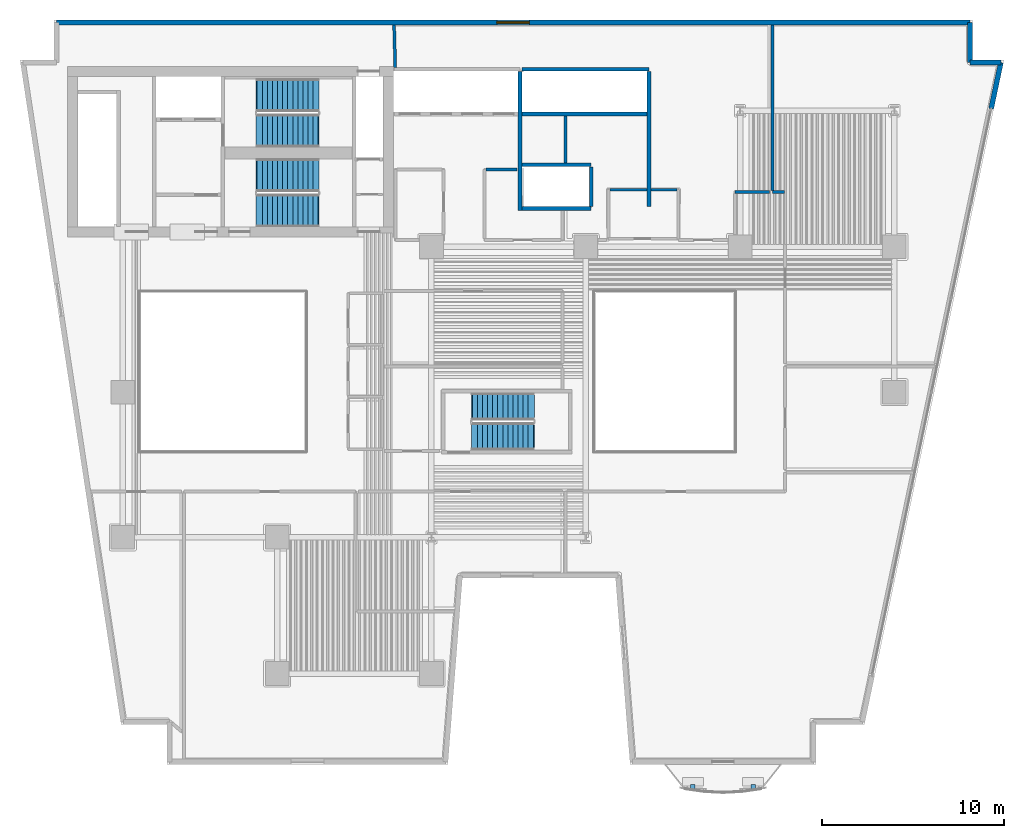
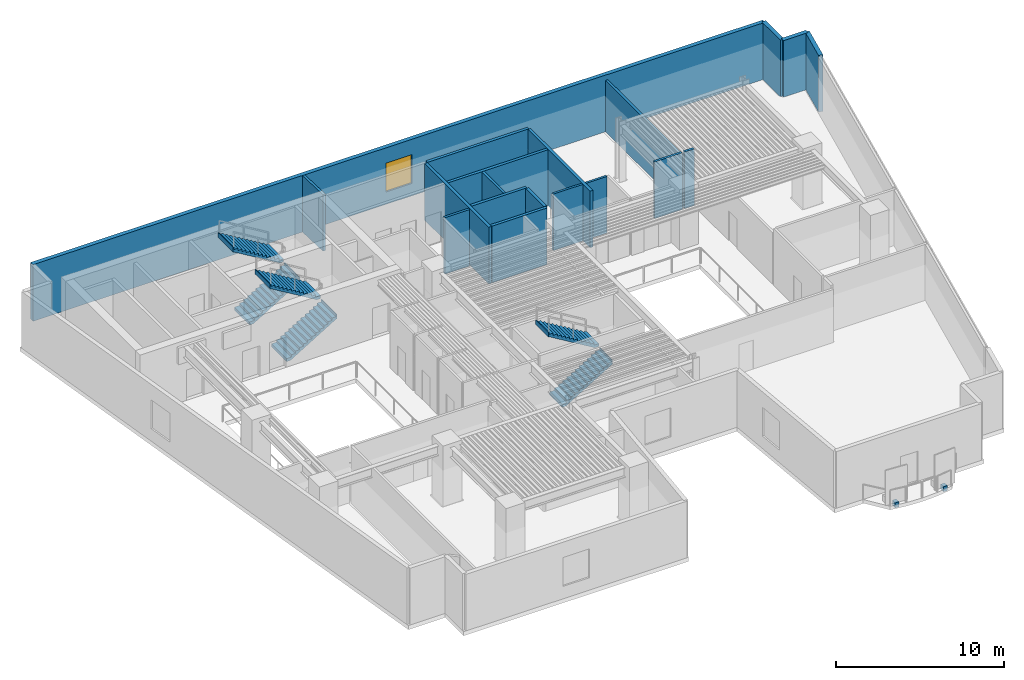
# One storey, part 6 of 11: 19 walls, 6 stair flights, 2 discrete accessories, 1 window, 1 opening, 3 elements without a shape of their own.
"""IFC4 building model written with IfcOpenShell, lengths in metres."""

from ifc_helpers import new_model, si_unit, direction, frame, frame_2d, origin, origin_2d, place, context, subcontext, project, spatial, polyline, rectangle, outline, extrude, material, layer, layer_set, type_object, element, fill, aggregate, save


model = new_model("IFC4")

# Units and contexts
model_context = context("Model", 3, precision=1e-05, world=origin(), true_north=direction((0.0, 1.0)))
body_context = subcontext(model_context, "Body", "Model", "MODEL_VIEW")
ifc_project = project(units=[si_unit("LENGTHUNIT", "METRE"), si_unit("AREAUNIT", "SQUARE_METRE"), si_unit("VOLUMEUNIT", "CUBIC_METRE"), si_unit("PLANEANGLEUNIT", "RADIAN"), si_unit("MASSUNIT", "GRAM", prefix="KILO")], contexts=[model_context])

# Site, building, storey
site_placement = place(None, origin())
site = spatial("IfcSite", under=ifc_project, at=site_placement, CompositionType="ELEMENT")
building_placement = place(site_placement, origin())
building = spatial("IfcBuilding", under=site, at=building_placement, Name="Caeloran Harvest Quay", CompositionType="ELEMENT")
storey_placement = place(building_placement, frame((0.0, 0.0, 75.39990234375)))
storey = spatial("IfcBuildingStorey", under=building, at=storey_placement, Name="L17", CompositionType="ELEMENT", Elevation=75.39990234375)

# Wall, opening, window
ifc_material_1 = material(Name="Precast concrete C50/60", Category="concrete")
ifc_layer_1 = layer(ifc_material_1, 0.280029296875, Name="Precast concrete C50/60")
ifc_layer_set_1 = layer_set([ifc_layer_1], Name="Precast concrete C50/60")
wall_type_1 = type_object("IfcWallType", Name="ENV-WALL-EW-280", PredefinedType="STANDARD", material=ifc_layer_set_1)
wall_1_placement = place(storey_placement, frame((4.840087890625, 43.360107421875, 0.0), z_axis=(0.0, 0.0, 1.0), x_axis=(1.0, 0.0, 0.0)))
wall_1 = element("IfcWall", 1, at=wall_1_placement, inside=storey, type_object=wall_type_1, Name="L17 Exterior Precast Concrete Facade Wall 6", PredefinedType="STANDARD", context=body_context, shape_type="SweptSolid", body=[
    extrude(rectangle(XDim=50.31982421875, YDim=0.280029296875, at=frame_2d((25.159912109375, 0.0))), origin(), (0.0, 0.0, 1.0), 4.114990234375),
])
opening_placement = place(wall_1_placement, frame((24.260009765625, 0.0, 0.89990234375)))
opening = element("IfcOpeningElement", 2, at=opening_placement, cuts=wall_1, Name="Opening W-01", PredefinedType="OPENING", context=body_context, shape_type="SweptSolid", body=[
    extrude(rectangle(XDim=1.800048828125, YDim=2.10009765625, at=frame_2d((0.89990234375, 1.050048828125))), frame((0.0, 0.14990234375, 0.0), z_axis=(0.0, -1.0, 0.0), x_axis=(1.0, 0.0, 0.0)), (0.0, 0.0, 1.0), 0.300048828125),
])
ifc_material_2 = material(Name="Aluminium-Framed Low-E Laminated Glass", Category="aluminium")
window_type = type_object("IfcWindowType", Name="WIN-W-01", PartitioningType="SINGLE_PANEL", PredefinedType="WINDOW", material=ifc_material_2)
window_placement = place(opening_placement, origin())
window = element("IfcWindow", 3, at=window_placement, inside=storey, type_object=window_type, Name="L17 Facade Punched Window W-01", OverallHeight=2.10009765625, OverallWidth=1.800048828125, PartitioningType="SINGLE_PANEL", PredefinedType="WINDOW", context=body_context, shape_type="SweptSolid", body=[
    extrude(rectangle(XDim=1.800048828125, YDim=2.10009765625, at=frame_2d((0.89990234375, 1.050048828125))), frame((0.0, 0.030029296875, 0.0), z_axis=(0.0, -1.0, 0.0), x_axis=(1.0, 0.0, 0.0)), (0.0, 0.0, 1.0), 0.06005859375),
])
fill(opening, window)

# Walls
wall_2_placement = place(storey_placement, frame((55.159912109375, 43.360107421875, 0.0), z_axis=(0.0, 0.0, 1.0), x_axis=(0.0, -1.0, 0.0)))
element("IfcWall", 4, at=wall_2_placement, inside=storey, type_object=wall_type_1, Name="L17 Exterior Precast Concrete Facade Wall 7", PredefinedType="STANDARD", context=body_context, shape_type="SweptSolid", body=[
    extrude(rectangle(XDim=2.2001953125, YDim=0.280029296875, at=frame_2d((1.10009765625, 0.0))), origin(), (0.0, 0.0, 1.0), 4.114990234375),
])
wall_3_placement = place(storey_placement, frame((55.159912109375, 41.159912109375, 0.0), z_axis=(0.0, 0.0, 1.0), x_axis=(1.0, 0.0, 0.0)))
element("IfcWall", 5, at=wall_3_placement, inside=storey, type_object=wall_type_1, Name="L17 Exterior Precast Concrete Facade Wall 8", PredefinedType="STANDARD", context=body_context, shape_type="SweptSolid", body=[
    extrude(rectangle(XDim=1.705322265625, YDim=0.280029296875, at=frame_2d((0.8525390625, 0.0))), origin(), (0.0, 0.0, 1.0), 4.114990234375),
])
wall_4_placement = place(storey_placement, frame((56.865234375, 41.159912109375, 0.0), z_axis=(0.0, 0.0, 1.0), x_axis=(-0.205551409765, -0.978646319128, 0.0)))
element("IfcWall", 6, at=wall_4_placement, inside=storey, type_object=wall_type_1, Name="L17 Exterior Facade Corner Pier Wall 9A", PredefinedType="STANDARD", context=body_context, shape_type="SweptSolid", body=[
    extrude(rectangle(XDim=2.599853515625, YDim=0.280029296875, at=frame_2d((1.2998046875, 0.0))), origin(), (0.0, 0.0, 1.0), 4.114990234375),
])
ifc_material_3 = material(Name="Autoclaved Aerated Concrete Blockwork and Plasterboard", Category="masonry")
ifc_layer_2 = layer(ifc_material_3, 0.14990234375, Name="Autoclaved Aerated Concrete Blockwork and Plasterboard")
ifc_layer_set_2 = layer_set([ifc_layer_2], Name="Autoclaved Aerated Concrete Blockwork and Plasterboard")
wall_type_2 = type_object("IfcWallType", Name="INT-WALL-PW-150", PredefinedType="PARTITIONING", material=ifc_layer_set_2)
wall_5_placement = place(storey_placement, frame((37.5849609375, 34.14990234375, 0.0), z_axis=(0.0, 0.0, 1.0), x_axis=(1.0, 0.0, 0.0)))
element("IfcWall", 7, at=wall_5_placement, inside=storey, type_object=wall_type_2, Name="L17 Core Auxiliary Equipment Room Partition Wall", PredefinedType="PARTITIONING", context=body_context, shape_type="SweptSolid", body=[
    extrude(rectangle(XDim=1.43505859375, YDim=0.14990234375, at=frame_2d((0.717529296875, 0.0))), origin(), (0.0, 0.0, 1.0), 4.114990234375),
])
wall_6_placement = place(storey_placement, frame((35.330078125, 34.14990234375, 0.0), z_axis=(0.0, 0.0, 1.0), x_axis=(1.0, 0.0, 0.0)))
element("IfcWall", 8, at=wall_6_placement, inside=storey, type_object=wall_type_2, Name="L17 Core Auxiliary Equipment Room Partition Wall", PredefinedType="PARTITIONING", context=body_context, shape_type="SweptSolid", body=[
    extrude(rectangle(XDim=2.044921875, YDim=0.14990234375, at=frame_2d((1.0224609375, 0.0))), origin(), (0.0, 0.0, 1.0), 4.114990234375),
])
ifc_material_4 = material(Name="Autoclaved Aerated Concrete Blockwork", Category="masonry")
ifc_layer_3 = layer(ifc_material_4, 0.1650390625, Name="Autoclaved Aerated Concrete Blockwork")
ifc_layer_set_3 = layer_set([ifc_layer_3], Name="Autoclaved Aerated Concrete Blockwork")
wall_type_3 = type_object("IfcWallType", Name="INT-WALL-PW-165", PredefinedType="PARTITIONING", material=ifc_layer_set_3)
wall_7_placement = place(storey_placement, frame((28.517578125, 35.27001953125, 0.0), z_axis=(0.0, 0.0, 1.0), x_axis=(1.0, 0.0, 0.0)))
element("IfcWall", 9, at=wall_7_placement, inside=storey, type_object=wall_type_3, Name="Staff Wellness Lounge Partition Wall", PredefinedType="PARTITIONING", context=body_context, shape_type="SweptSolid", body=[
    extrude(rectangle(XDim=1.702392578125, YDim=0.1650390625, at=frame_2d((0.85107421875, 0.0))), origin(), (0.0, 0.0, 1.0), 4.114990234375),
])
wall_8_placement = place(storey_placement, frame((44.949951171875, 34.030029296875, 0.0), z_axis=(0.0, 0.0, 1.0), x_axis=(-1.0, 0.0, 0.0)))
element("IfcWall", 10, at=wall_8_placement, inside=storey, type_object=wall_type_3, Name="Medicinal Plant Aeroponic Room 10 Partition Wall", PredefinedType="PARTITIONING", context=body_context, shape_type="SweptSolid", body=[
    extrude(rectangle(XDim=0.669921875, YDim=0.1650390625, at=frame_2d((0.3349609375, 0.0))), origin(), (0.0, 0.0, 1.0), 4.114990234375),
])
wall_9_placement = place(storey_placement, frame((44.280029296875, 34.117431640625, 0.0), z_axis=(0.0, 0.0, 1.0), x_axis=(0.0, 1.0, 0.0)))
element("IfcWall", 11, at=wall_9_placement, inside=storey, type_object=wall_type_3, Name="Medicinal Plant Aeroponic Room 10 Partition Wall", PredefinedType="PARTITIONING", context=body_context, shape_type="SweptSolid", body=[
    extrude(rectangle(XDim=9.09765625, YDim=0.1650390625, at=frame_2d((4.548828125, 0.0))), origin(), (0.0, 0.0, 1.0), 3.739990234375),
])
wall_10_placement = place(storey_placement, frame((44.1201171875, 34.030029296875, 0.0), z_axis=(0.0, 0.0, 1.0), x_axis=(-1.0, 0.0, 0.0)))
element("IfcWall", 12, at=wall_10_placement, inside=storey, type_object=wall_type_3, Name="Photobiology Spectrum Laboratory 11 Partition Wall", PredefinedType="PARTITIONING", context=body_context, shape_type="SweptSolid", body=[
    extrude(rectangle(XDim=1.900146484375, YDim=0.1650390625, at=frame_2d((0.9501953125, 0.0))), origin(), (0.0, 0.0, 1.0), 4.114990234375),
])
wall_11_placement = place(storey_placement, frame((32.8798828125, 35.635009765625, 0.0), z_axis=(0.0, 0.0, 1.0), x_axis=(0.0, 1.0, 0.0)))
element("IfcWall", 13, at=wall_11_placement, inside=storey, type_object=wall_type_3, Name="Photobiology Spectrum Laboratory 11 Partition Wall", PredefinedType="PARTITIONING", context=body_context, shape_type="SweptSolid", body=[
    extrude(rectangle(XDim=2.580078125, YDim=0.1650390625, at=frame_2d((1.2900390625, 0.0))), origin(), (0.0, 0.0, 1.0), 4.114990234375),
])
wall_12_placement = place(storey_placement, frame((23.505615234375, 40.885009765625, 0.0), z_axis=(0.0, 0.0, 1.0), x_axis=(-0.027441464163, 0.999623412113, 0.0)))
element("IfcWall", 14, at=wall_12_placement, inside=storey, type_object=wall_type_3, Name="Photobiology Spectrum Laboratory 11 Partition Wall", PredefinedType="PARTITIONING", context=body_context, shape_type="SweptSolid", body=[
    extrude(rectangle(XDim=2.3310546875, YDim=0.1650390625, at=frame_2d((1.16552734375, 0.0))), origin(), (0.0, 0.0, 1.0), 4.114990234375),
])
ifc_material_5 = material(Name="Concrete C50/60", Category="concrete")
ifc_layer_4 = layer(ifc_material_5, 0.199951171875, Name="Concrete C50/60")
ifc_layer_set_4 = layer_set([ifc_layer_4], Name="Concrete C50/60")
wall_type_4 = type_object("IfcWallType", Name="INT-WALL-SW-200", PredefinedType="PARTITIONING", material=ifc_layer_set_4)
wall_13_placement = place(storey_placement, frame((30.3798828125, 33.02001953125, 0.0), z_axis=(0.0, 0.0, 1.0), x_axis=(0.0, 1.0, 0.0)))
element("IfcWall", 15, at=wall_13_placement, inside=storey, type_object=wall_type_4, Name="L17 Bank 1 Lift Shaft East Wall", PredefinedType="PARTITIONING", context=body_context, shape_type="SweptSolid", body=[
    extrude(rectangle(XDim=7.639892578125, YDim=0.199951171875, at=frame_2d((3.81982421875, 0.0))), origin(), (0.0, 0.0, 1.0), 4.114990234375),
])
wall_14_placement = place(storey_placement, frame((30.5, 40.780029296875, 0.0), z_axis=(0.0, 0.0, 1.0), x_axis=(1.0, 0.0, 0.0)))
element("IfcWall", 16, at=wall_14_placement, inside=storey, type_object=wall_type_4, Name="L17 Bank 2 Lift Shaft North Wall", PredefinedType="PARTITIONING", context=body_context, shape_type="SweptSolid", body=[
    extrude(rectangle(XDim=6.97998046875, YDim=0.199951171875, at=frame_2d((3.489990234375, 0.0))), origin(), (0.0, 0.0, 1.0), 4.114990234375),
])
wall_15_placement = place(storey_placement, frame((37.47998046875, 33.239990234375, 0.0), z_axis=(0.0, 0.0, 1.0), x_axis=(0.0, 1.0, 0.0)))
element("IfcWall", 17, at=wall_15_placement, inside=storey, type_object=wall_type_4, Name="L17 Bank 2 Lift Shaft East Wall", PredefinedType="PARTITIONING", context=body_context, shape_type="SweptSolid", body=[
    extrude(rectangle(XDim=7.419921875, YDim=0.199951171875, at=frame_2d((3.7099609375, 0.0))), origin(), (0.0, 0.0, 1.0), 4.114990234375),
])
wall_16_placement = place(storey_placement, frame((30.5, 38.320068359375, 0.0), z_axis=(0.0, 0.0, 1.0), x_axis=(1.0, 0.0, 0.0)))
element("IfcWall", 18, at=wall_16_placement, inside=storey, type_object=wall_type_4, Name="L17 Bank 2 Lift Landing Front Wall", PredefinedType="PARTITIONING", context=body_context, shape_type="SweptSolid", body=[
    extrude(rectangle(XDim=6.860107421875, YDim=0.199951171875, at=frame_2d((3.43017578125, 0.0))), origin(), (0.0, 0.0, 1.0), 4.114990234375),
])
for number, where, z_axis, x_axis, name in (
    (19, (30.5, 35.530029296875, 0.0), (0.0, 0.0, 1.0), (1.0, 0.0, 0.0), "L17 Shuttle Lift Landing Front Wall"),
    (20, (30.5, 33.1201171875, 0.0), (0.0, 0.0, 1.0), (1.0, 0.0, 0.0), "L17 Shuttle Lift Shaft South Wall"),
):
    element("IfcWall", number, at=place(storey_placement, frame(where, z_axis=z_axis, x_axis=x_axis)), inside=storey, type_object=wall_type_4, Name=name, PredefinedType="PARTITIONING", context=body_context, shape_type="SweptSolid", body=[
        extrude(rectangle(XDim=3.800048828125, YDim=0.199951171875, at=frame_2d((1.89990234375, 0.0))), origin(), (0.0, 0.0, 1.0), 4.114990234375),
    ])
wall_17_placement = place(storey_placement, frame((34.300048828125, 33.239990234375, 0.0), z_axis=(0.0, 0.0, 1.0), x_axis=(0.0, 1.0, 0.0)))
element("IfcWall", 21, at=wall_17_placement, inside=storey, type_object=wall_type_4, Name="L17 Shuttle Lift Shaft East Wall", PredefinedType="PARTITIONING", context=body_context, shape_type="SweptSolid", body=[
    extrude(rectangle(XDim=2.169921875, YDim=0.199951171875, at=frame_2d((1.0849609375, 0.0))), origin(), (0.0, 0.0, 1.0), 4.114990234375),
])

# Stair, stair flights
stair_type_1 = type_object("IfcStairType", Name="STAIR-STC-180", PredefinedType="HALF_TURN_STAIR", material=ifc_material_5)
stair_1_placement = place(storey_placement, origin())
stair_1 = element("IfcStair", 22, at=stair_1_placement, inside=storey, type_object=stair_type_1, Name="L17 Core Pressurized Exit Stair ST-C1", PredefinedType="HALF_TURN_STAIR")
stair_flight_type_1 = type_object("IfcStairFlightType", Name="FLIGHT-STC-180", PredefinedType="STRAIGHT", material=ifc_material_5)
stair_flight_1_placement = place(storey_placement, frame((15.89990234375, 37.39990234375, 0.0), z_axis=(0.0, 0.0, 1.0), x_axis=(1.0, 0.0, 0.0)))
stair_flight_1 = element("IfcStairFlight", 23, at=stair_flight_1_placement, type_object=stair_flight_type_1, Name="ST-C1 flight 1", NumberOfRisers=13, NumberOfTreads=12, PredefinedType="STRAIGHT", RiserHeight=0.169230769, TreadLength=0.28, context=body_context, shape_type="SweptSolid", body=[
    extrude(outline(polyline([(-0.054931640625, -0.044921875), (-0.054931640625, -0.031494140625), (-0.054931640625, -0.018310546875), (-0.054931640625, -0.0048828125), (-0.054931640625, 0.008544921875), (-0.054931640625, 0.02197265625), (-0.054931640625, 0.035400390625), (-0.054931640625, 0.048828125), (-0.054931640625, 0.06201171875), (-0.054931640625, 0.075439453125), (-0.054931640625, 0.0888671875), (-0.054931640625, 0.102294921875), (-0.054931640625, 0.11572265625), (-0.054931640625, 0.129150390625), (-0.054931640625, 0.142333984375), (-0.054931640625, 0.15576171875), (-0.054931640625, 0.169189453125), (0.280029296875, 0.169189453125), (0.280029296875, 0.33837890625), (0.56005859375, 0.33837890625), (0.56005859375, 0.5078125), (0.840087890625, 0.5078125), (0.840087890625, 0.677001953125), (1.1201171875, 0.677001953125), (1.1201171875, 0.84619140625), (1.39990234375, 0.84619140625), (1.39990234375, 1.015380859375), (1.679931640625, 1.015380859375), (1.679931640625, 1.1845703125), (1.9599609375, 1.1845703125), (1.9599609375, 1.353759765625), (2.239990234375, 1.353759765625), (2.239990234375, 1.523193359375), (2.52001953125, 1.523193359375), (2.52001953125, 1.6923828125), (2.800048828125, 1.6923828125), (2.800048828125, 1.861572265625), (3.080078125, 1.861572265625), (3.080078125, 2.03076171875), (3.360107421875, 2.03076171875), (3.360107421875, 2.199951171875), (3.4150390625, 2.199951171875), (3.4150390625, 2.178466796875), (3.4150390625, 2.156982421875), (3.4150390625, 2.135498046875), (3.4150390625, 2.114013671875), (3.4150390625, 2.09228515625), (3.4150390625, 2.07080078125), (3.4150390625, 2.04931640625), (3.4150390625, 2.02783203125), (3.4150390625, 2.00634765625), (3.4150390625, 1.98486328125), (3.4150390625, 1.963134765625), (3.4150390625, 1.941650390625), (3.4150390625, 1.920166015625), (3.4150390625, 1.898681640625), (3.4150390625, 1.877197265625), (3.4150390625, 1.855712890625), (3.360107421875, 1.855712890625), (0.21533203125, -0.044921875), (-0.054931640625, -0.044921875)])), frame((0.0, 0.89990234375, 0.0), z_axis=(0.0, -1.0, 0.0), x_axis=(1.0, 0.0, 0.0)), (0.0, 0.0, 1.0), 1.800048828125),
])
stair_flight_2_placement = place(storey_placement, frame((19.260009765625, 39.35009765625, 2.2001953125), z_axis=(0.0, 0.0, 1.0), x_axis=(-1.0, 0.0, 0.0)))
stair_flight_2 = element("IfcStairFlight", 24, at=stair_flight_2_placement, type_object=stair_flight_type_1, Name="ST-C1 flight 2", NumberOfRisers=13, NumberOfTreads=12, PredefinedType="STRAIGHT", RiserHeight=0.169230769, TreadLength=0.28, context=body_context, shape_type="SweptSolid", body=[
    extrude(outline(polyline([(-0.054931640625, -0.044921875), (-0.054931640625, -0.031494140625), (-0.054931640625, -0.018310546875), (-0.054931640625, -0.0048828125), (-0.054931640625, 0.008544921875), (-0.054931640625, 0.02197265625), (-0.054931640625, 0.035400390625), (-0.054931640625, 0.048828125), (-0.054931640625, 0.06201171875), (-0.054931640625, 0.075439453125), (-0.054931640625, 0.0888671875), (-0.054931640625, 0.102294921875), (-0.054931640625, 0.11572265625), (-0.054931640625, 0.129150390625), (-0.054931640625, 0.142333984375), (-0.054931640625, 0.15576171875), (-0.054931640625, 0.169189453125), (0.280029296875, 0.169189453125), (0.280029296875, 0.33837890625), (0.56005859375, 0.33837890625), (0.56005859375, 0.5078125), (0.840087890625, 0.5078125), (0.840087890625, 0.677001953125), (1.1201171875, 0.677001953125), (1.1201171875, 0.84619140625), (1.39990234375, 0.84619140625), (1.39990234375, 1.015380859375), (1.679931640625, 1.015380859375), (1.679931640625, 1.1845703125), (1.9599609375, 1.1845703125), (1.9599609375, 1.353759765625), (2.239990234375, 1.353759765625), (2.239990234375, 1.523193359375), (2.52001953125, 1.523193359375), (2.52001953125, 1.6923828125), (2.800048828125, 1.6923828125), (2.800048828125, 1.861572265625), (3.080078125, 1.861572265625), (3.080078125, 2.03076171875), (3.360107421875, 2.03076171875), (3.360107421875, 2.199951171875), (3.4150390625, 2.199951171875), (3.4150390625, 2.178466796875), (3.4150390625, 2.156982421875), (3.4150390625, 2.135498046875), (3.4150390625, 2.114013671875), (3.4150390625, 2.09228515625), (3.4150390625, 2.07080078125), (3.4150390625, 2.04931640625), (3.4150390625, 2.02783203125), (3.4150390625, 2.00634765625), (3.4150390625, 1.98486328125), (3.4150390625, 1.963134765625), (3.4150390625, 1.941650390625), (3.4150390625, 1.920166015625), (3.4150390625, 1.898681640625), (3.4150390625, 1.877197265625), (3.4150390625, 1.855712890625), (3.360107421875, 1.855712890625), (0.21533203125, -0.044921875), (-0.054931640625, -0.044921875)])), frame((0.0, 0.89990234375, 0.0), z_axis=(0.0, -1.0, 0.0), x_axis=(1.0, 0.0, 0.0)), (0.0, 0.0, 1.0), 1.800048828125),
])
aggregate(stair_1, [stair_flight_1, stair_flight_2])

stair_2_placement = place(storey_placement, origin())
stair_2 = element("IfcStair", 25, at=stair_2_placement, inside=storey, type_object=stair_type_1, Name="L17 Core Pressurized Exit Stair ST-C2", PredefinedType="HALF_TURN_STAIR")
stair_flight_3_placement = place(storey_placement, frame((15.89990234375, 33.0, 0.0), z_axis=(0.0, 0.0, 1.0), x_axis=(1.0, 0.0, 0.0)))
stair_flight_3 = element("IfcStairFlight", 26, at=stair_flight_3_placement, type_object=stair_flight_type_1, Name="ST-C2 flight 1", NumberOfRisers=13, NumberOfTreads=12, PredefinedType="STRAIGHT", RiserHeight=0.169230769, TreadLength=0.28, context=body_context, shape_type="SweptSolid", body=[
    extrude(outline(polyline([(-0.054931640625, -0.044921875), (-0.054931640625, -0.031494140625), (-0.054931640625, -0.018310546875), (-0.054931640625, -0.0048828125), (-0.054931640625, 0.008544921875), (-0.054931640625, 0.02197265625), (-0.054931640625, 0.035400390625), (-0.054931640625, 0.048828125), (-0.054931640625, 0.06201171875), (-0.054931640625, 0.075439453125), (-0.054931640625, 0.0888671875), (-0.054931640625, 0.102294921875), (-0.054931640625, 0.11572265625), (-0.054931640625, 0.129150390625), (-0.054931640625, 0.142333984375), (-0.054931640625, 0.15576171875), (-0.054931640625, 0.169189453125), (0.280029296875, 0.169189453125), (0.280029296875, 0.33837890625), (0.56005859375, 0.33837890625), (0.56005859375, 0.5078125), (0.840087890625, 0.5078125), (0.840087890625, 0.677001953125), (1.1201171875, 0.677001953125), (1.1201171875, 0.84619140625), (1.39990234375, 0.84619140625), (1.39990234375, 1.015380859375), (1.679931640625, 1.015380859375), (1.679931640625, 1.1845703125), (1.9599609375, 1.1845703125), (1.9599609375, 1.353759765625), (2.239990234375, 1.353759765625), (2.239990234375, 1.523193359375), (2.52001953125, 1.523193359375), (2.52001953125, 1.6923828125), (2.800048828125, 1.6923828125), (2.800048828125, 1.861572265625), (3.080078125, 1.861572265625), (3.080078125, 2.03076171875), (3.360107421875, 2.03076171875), (3.360107421875, 2.199951171875), (3.4150390625, 2.199951171875), (3.4150390625, 2.178466796875), (3.4150390625, 2.156982421875), (3.4150390625, 2.135498046875), (3.4150390625, 2.114013671875), (3.4150390625, 2.09228515625), (3.4150390625, 2.07080078125), (3.4150390625, 2.04931640625), (3.4150390625, 2.02783203125), (3.4150390625, 2.00634765625), (3.4150390625, 1.98486328125), (3.4150390625, 1.963134765625), (3.4150390625, 1.941650390625), (3.4150390625, 1.920166015625), (3.4150390625, 1.898681640625), (3.4150390625, 1.877197265625), (3.4150390625, 1.855712890625), (3.360107421875, 1.855712890625), (0.21533203125, -0.044921875), (-0.054931640625, -0.044921875)])), frame((0.0, 0.89990234375, 0.0), z_axis=(0.0, -1.0, 0.0), x_axis=(1.0, 0.0, 0.0)), (0.0, 0.0, 1.0), 1.800048828125),
])
stair_flight_4_placement = place(storey_placement, frame((19.260009765625, 34.949951171875, 2.2001953125), z_axis=(0.0, 0.0, 1.0), x_axis=(-1.0, 0.0, 0.0)))
stair_flight_4 = element("IfcStairFlight", 27, at=stair_flight_4_placement, type_object=stair_flight_type_1, Name="ST-C2 flight 2", NumberOfRisers=13, NumberOfTreads=12, PredefinedType="STRAIGHT", RiserHeight=0.169230769, TreadLength=0.28, context=body_context, shape_type="SweptSolid", body=[
    extrude(outline(polyline([(-0.054931640625, -0.044921875), (-0.054931640625, -0.031494140625), (-0.054931640625, -0.018310546875), (-0.054931640625, -0.0048828125), (-0.054931640625, 0.008544921875), (-0.054931640625, 0.02197265625), (-0.054931640625, 0.035400390625), (-0.054931640625, 0.048828125), (-0.054931640625, 0.06201171875), (-0.054931640625, 0.075439453125), (-0.054931640625, 0.0888671875), (-0.054931640625, 0.102294921875), (-0.054931640625, 0.11572265625), (-0.054931640625, 0.129150390625), (-0.054931640625, 0.142333984375), (-0.054931640625, 0.15576171875), (-0.054931640625, 0.169189453125), (0.280029296875, 0.169189453125), (0.280029296875, 0.33837890625), (0.56005859375, 0.33837890625), (0.56005859375, 0.5078125), (0.840087890625, 0.5078125), (0.840087890625, 0.677001953125), (1.1201171875, 0.677001953125), (1.1201171875, 0.84619140625), (1.39990234375, 0.84619140625), (1.39990234375, 1.015380859375), (1.679931640625, 1.015380859375), (1.679931640625, 1.1845703125), (1.9599609375, 1.1845703125), (1.9599609375, 1.353759765625), (2.239990234375, 1.353759765625), (2.239990234375, 1.523193359375), (2.52001953125, 1.523193359375), (2.52001953125, 1.6923828125), (2.800048828125, 1.6923828125), (2.800048828125, 1.861572265625), (3.080078125, 1.861572265625), (3.080078125, 2.03076171875), (3.360107421875, 2.03076171875), (3.360107421875, 2.199951171875), (3.4150390625, 2.199951171875), (3.4150390625, 2.178466796875), (3.4150390625, 2.156982421875), (3.4150390625, 2.135498046875), (3.4150390625, 2.114013671875), (3.4150390625, 2.09228515625), (3.4150390625, 2.07080078125), (3.4150390625, 2.04931640625), (3.4150390625, 2.02783203125), (3.4150390625, 2.00634765625), (3.4150390625, 1.98486328125), (3.4150390625, 1.963134765625), (3.4150390625, 1.941650390625), (3.4150390625, 1.920166015625), (3.4150390625, 1.898681640625), (3.4150390625, 1.877197265625), (3.4150390625, 1.855712890625), (3.360107421875, 1.855712890625), (0.21533203125, -0.044921875), (-0.054931640625, -0.044921875)])), frame((0.0, 0.89990234375, 0.0), z_axis=(0.0, -1.0, 0.0), x_axis=(1.0, 0.0, 0.0)), (0.0, 0.0, 1.0), 1.800048828125),
])
aggregate(stair_2, [stair_flight_3, stair_flight_4])

stair_type_2 = type_object("IfcStairType", Name="STAIR-STW-150", PredefinedType="HALF_TURN_STAIR", material=ifc_material_5)
stair_3_placement = place(storey_placement, origin())
stair_3 = element("IfcStair", 28, at=stair_3_placement, inside=storey, type_object=stair_type_2, Name="L17 East Wing Protected Exit Stair ST-W1", PredefinedType="HALF_TURN_STAIR")
stair_flight_type_2 = type_object("IfcStairFlightType", Name="FLIGHT-STW-150", PredefinedType="STRAIGHT", material=ifc_material_5)
stair_flight_5_placement = place(storey_placement, frame((27.75, 20.550048828125, 0.0), z_axis=(0.0, 0.0, 1.0), x_axis=(1.0, 0.0, 0.0)))
stair_flight_5 = element("IfcStairFlight", 29, at=stair_flight_5_placement, type_object=stair_flight_type_2, Name="ST-W1 flight 1", NumberOfRisers=13, NumberOfTreads=12, PredefinedType="STRAIGHT", RiserHeight=0.169230769, TreadLength=0.28, context=body_context, shape_type="SweptSolid", body=[
    extrude(outline(polyline([(-0.054931640625, -0.044921875), (-0.054931640625, -0.031494140625), (-0.054931640625, -0.018310546875), (-0.054931640625, -0.0048828125), (-0.054931640625, 0.008544921875), (-0.054931640625, 0.02197265625), (-0.054931640625, 0.035400390625), (-0.054931640625, 0.048828125), (-0.054931640625, 0.06201171875), (-0.054931640625, 0.075439453125), (-0.054931640625, 0.0888671875), (-0.054931640625, 0.102294921875), (-0.054931640625, 0.11572265625), (-0.054931640625, 0.129150390625), (-0.054931640625, 0.142333984375), (-0.054931640625, 0.15576171875), (-0.054931640625, 0.169189453125), (0.280029296875, 0.169189453125), (0.280029296875, 0.33837890625), (0.56005859375, 0.33837890625), (0.56005859375, 0.5078125), (0.840087890625, 0.5078125), (0.840087890625, 0.677001953125), (1.1201171875, 0.677001953125), (1.1201171875, 0.84619140625), (1.39990234375, 0.84619140625), (1.39990234375, 1.015380859375), (1.679931640625, 1.015380859375), (1.679931640625, 1.1845703125), (1.9599609375, 1.1845703125), (1.9599609375, 1.353759765625), (2.239990234375, 1.353759765625), (2.239990234375, 1.523193359375), (2.52001953125, 1.523193359375), (2.52001953125, 1.6923828125), (2.800048828125, 1.6923828125), (2.800048828125, 1.861572265625), (3.080078125, 1.861572265625), (3.080078125, 2.03076171875), (3.360107421875, 2.03076171875), (3.360107421875, 2.199951171875), (3.4150390625, 2.199951171875), (3.4150390625, 2.178466796875), (3.4150390625, 2.156982421875), (3.4150390625, 2.135498046875), (3.4150390625, 2.114013671875), (3.4150390625, 2.09228515625), (3.4150390625, 2.07080078125), (3.4150390625, 2.04931640625), (3.4150390625, 2.02783203125), (3.4150390625, 2.00634765625), (3.4150390625, 1.98486328125), (3.4150390625, 1.963134765625), (3.4150390625, 1.941650390625), (3.4150390625, 1.920166015625), (3.4150390625, 1.898681640625), (3.4150390625, 1.877197265625), (3.4150390625, 1.855712890625), (3.360107421875, 1.855712890625), (0.21533203125, -0.044921875), (-0.054931640625, -0.044921875)])), frame((0.0, 0.75, 0.0), z_axis=(0.0, -1.0, 0.0), x_axis=(1.0, 0.0, 0.0)), (0.0, 0.0, 1.0), 1.5),
])
stair_flight_6_placement = place(storey_placement, frame((31.110107421875, 22.199951171875, 2.2001953125), z_axis=(0.0, 0.0, 1.0), x_axis=(-1.0, 0.0, 0.0)))
stair_flight_6 = element("IfcStairFlight", 30, at=stair_flight_6_placement, type_object=stair_flight_type_2, Name="ST-W1 flight 2", NumberOfRisers=13, NumberOfTreads=12, PredefinedType="STRAIGHT", RiserHeight=0.169230769, TreadLength=0.28, context=body_context, shape_type="SweptSolid", body=[
    extrude(outline(polyline([(-0.054931640625, -0.044921875), (-0.054931640625, -0.031494140625), (-0.054931640625, -0.018310546875), (-0.054931640625, -0.0048828125), (-0.054931640625, 0.008544921875), (-0.054931640625, 0.02197265625), (-0.054931640625, 0.035400390625), (-0.054931640625, 0.048828125), (-0.054931640625, 0.06201171875), (-0.054931640625, 0.075439453125), (-0.054931640625, 0.0888671875), (-0.054931640625, 0.102294921875), (-0.054931640625, 0.11572265625), (-0.054931640625, 0.129150390625), (-0.054931640625, 0.142333984375), (-0.054931640625, 0.15576171875), (-0.054931640625, 0.169189453125), (0.280029296875, 0.169189453125), (0.280029296875, 0.33837890625), (0.56005859375, 0.33837890625), (0.56005859375, 0.5078125), (0.840087890625, 0.5078125), (0.840087890625, 0.677001953125), (1.1201171875, 0.677001953125), (1.1201171875, 0.84619140625), (1.39990234375, 0.84619140625), (1.39990234375, 1.015380859375), (1.679931640625, 1.015380859375), (1.679931640625, 1.1845703125), (1.9599609375, 1.1845703125), (1.9599609375, 1.353759765625), (2.239990234375, 1.353759765625), (2.239990234375, 1.523193359375), (2.52001953125, 1.523193359375), (2.52001953125, 1.6923828125), (2.800048828125, 1.6923828125), (2.800048828125, 1.861572265625), (3.080078125, 1.861572265625), (3.080078125, 2.03076171875), (3.360107421875, 2.03076171875), (3.360107421875, 2.199951171875), (3.4150390625, 2.199951171875), (3.4150390625, 2.178466796875), (3.4150390625, 2.156982421875), (3.4150390625, 2.135498046875), (3.4150390625, 2.114013671875), (3.4150390625, 2.09228515625), (3.4150390625, 2.07080078125), (3.4150390625, 2.04931640625), (3.4150390625, 2.02783203125), (3.4150390625, 2.00634765625), (3.4150390625, 1.98486328125), (3.4150390625, 1.963134765625), (3.4150390625, 1.941650390625), (3.4150390625, 1.920166015625), (3.4150390625, 1.898681640625), (3.4150390625, 1.877197265625), (3.4150390625, 1.855712890625), (3.360107421875, 1.855712890625), (0.21533203125, -0.044921875), (-0.054931640625, -0.044921875)])), frame((0.0, 0.75, 0.0), z_axis=(0.0, -1.0, 0.0), x_axis=(1.0, 0.0, 0.0)), (0.0, 0.0, 1.0), 1.5),
])
aggregate(stair_3, [stair_flight_5, stair_flight_6])

# Discrete accessories
ifc_material_6 = material(Name="Stainless Steel Grade 316L", Category="steel")
discrete_accessory_type = type_object("IfcDiscreteAccessoryType", Name="BRACKET-SCREEN-SS", PredefinedType="BRACKET", material=ifc_material_6)
for number, where, z_axis, x_axis, name in (
    (31, (43.218505859375, 1.224853515625, -0.2197265625), (0.0, 0.0, 1.0), (1.0, 0.0, 0.0), "L17 Balcony Screen Support Bracket 1"),
    (32, (39.8984375, 1.224853515625, -0.2197265625), (0.0, 0.0, 1.0), (1.0, 0.0, 0.0), "L17 Balcony Screen Support Bracket 2"),
):
    element("IfcDiscreteAccessory", number, at=place(storey_placement, frame(where, z_axis=z_axis, x_axis=x_axis)), inside=storey, type_object=discrete_accessory_type, Name=name, PredefinedType="BRACKET", context=body_context, shape_type="SweptSolid", body=[
        extrude(rectangle(XDim=0.260009765625, YDim=0.340087890625, at=origin_2d()), origin(), (0.0, 0.0, 1.0), 0.360107421875),
    ])

save(model, "model.ifc")
